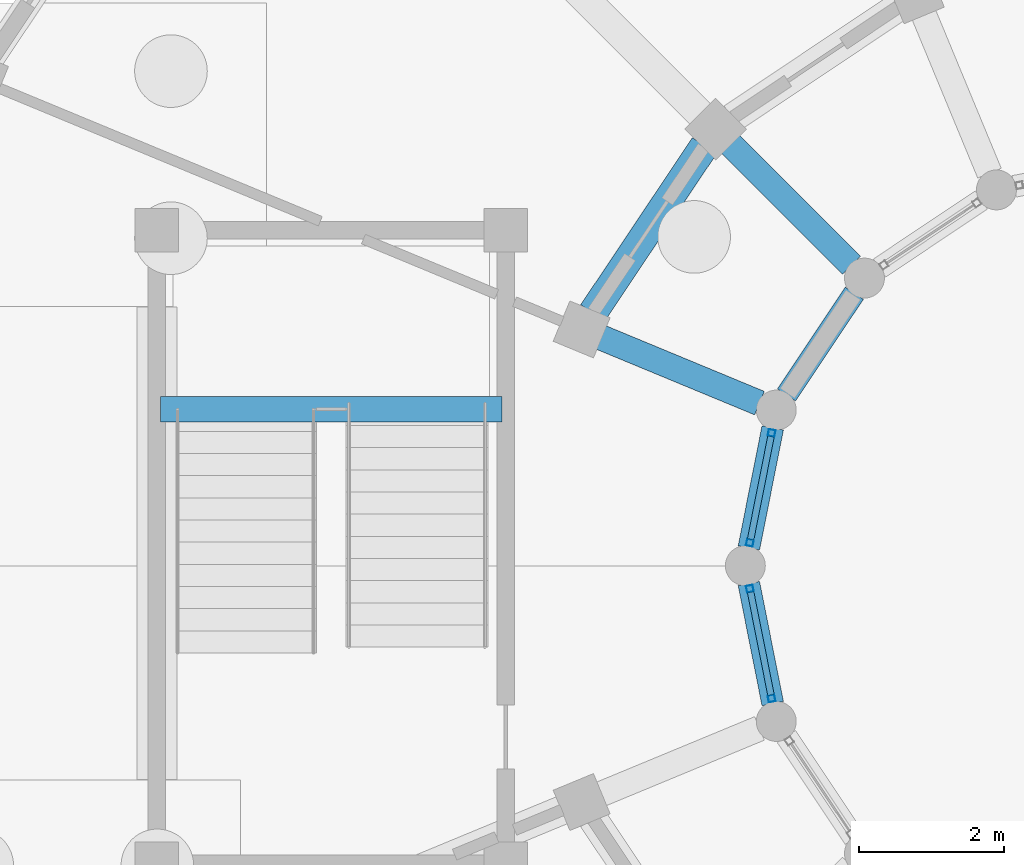
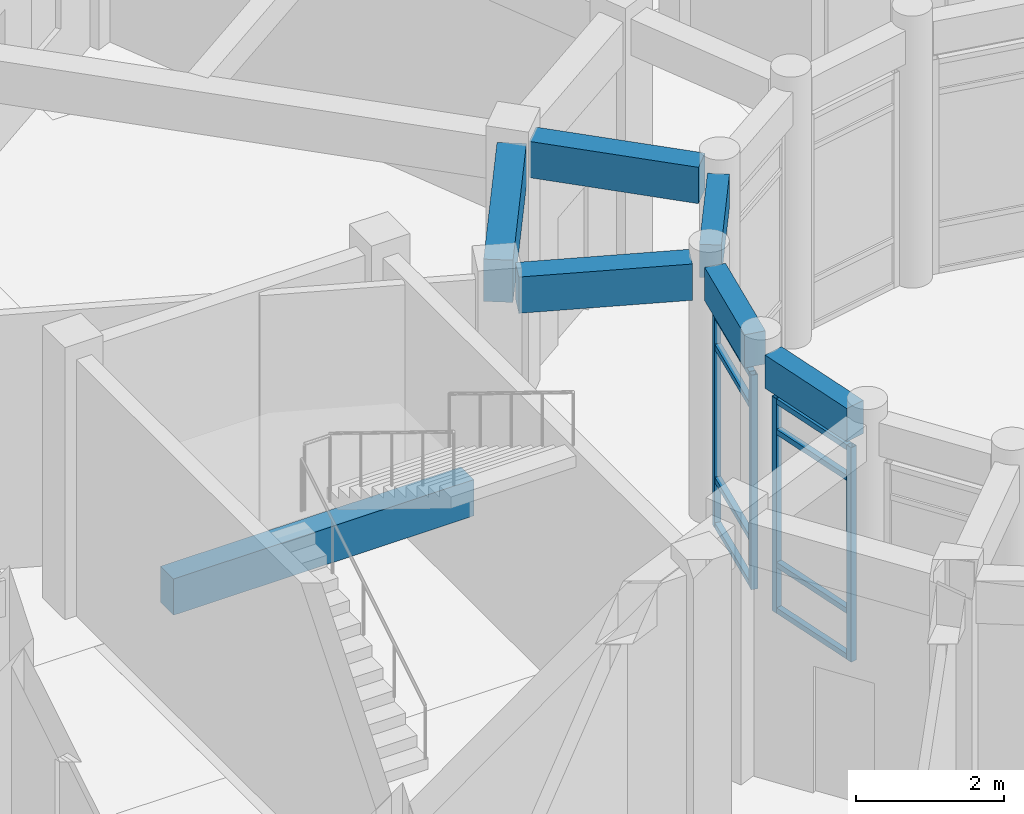
# One storey, part 20 of 153: 12 members, 7 beams, 2 elements without a shape of their own.
"""IFC4 building model written with IfcOpenShell, lengths in metres."""

from ifc_helpers import new_model, si_unit, direction, frame, origin, origin_2d, place, context, subcontext, project, spatial, rectangle, hollow_rectangle, extrude, material, material_profile, profile_set, type_object, element, aggregate, save


model = new_model("IFC4")

# Units and contexts
model_context = context("Model", 3, precision=1e-05, world=origin(), true_north=direction((0.0, 1.0)))
body_context = subcontext(model_context, "Body", "Model", "MODEL_VIEW")
ifc_project = project(units=[si_unit("LENGTHUNIT", "METRE"), si_unit("AREAUNIT", "SQUARE_METRE"), si_unit("VOLUMEUNIT", "CUBIC_METRE"), si_unit("PLANEANGLEUNIT", "RADIAN"), si_unit("MASSUNIT", "GRAM", prefix="KILO")], contexts=[model_context])

# Site, building, storey
site_placement = place(None, origin())
site = spatial("IfcSite", under=ifc_project, at=site_placement, CompositionType="ELEMENT")
building_placement = place(site_placement, origin())
building = spatial("IfcBuilding", under=site, at=building_placement, Name="Celadon Cloister-Ring School", CompositionType="ELEMENT")
storey_placement = place(building_placement, origin())
storey = spatial("IfcBuildingStorey", under=building, at=storey_placement, Name="L00", CompositionType="ELEMENT", Elevation=0.0)

# Beams
ifc_material_1 = material(Name="Concrete C35/45", Category="concrete")
ifc_material_profile_1 = material_profile(ifc_material_1, rectangle(XDim=0.35009765625, YDim=0.60009765625, at=origin_2d()), Name="RC350X600")
ifc_profile_set_1 = profile_set([ifc_material_profile_1], Name="Concrete C35/45")
beam_type_1 = type_object("IfcBeamType", Name="BT-02", PredefinedType="BEAM", material=ifc_profile_set_1)
beam_1_placement = place(storey_placement, frame((14.384033203125, 25.81591796875, 3.9599609375), z_axis=(0.707106781187, -0.707106781187, 0.0), x_axis=(0.707106781187, 0.707106781187, 0.0)))
element("IfcBeam", 1, at=beam_1_placement, inside=storey, type_object=beam_type_1, Name="Beam 0858", PredefinedType="BEAM", context=body_context, shape_type="SweptSolid", body=[
    extrude(rectangle(XDim=0.35009765625, YDim=0.60009765625, at=origin_2d()), origin(), (0.0, 0.0, 1.0), 2.37451171875),
])
beam_2_placement = place(storey_placement, frame((12.60107421875, 23.14794921875, 3.9599609375), z_axis=(0.92384765409, -0.382760384618, 0.0), x_axis=(0.382760384618, 0.92384765409, 0.0)))
element("IfcBeam", 2, at=beam_2_placement, inside=storey, type_object=beam_type_1, Name="Beam 0859", PredefinedType="BEAM", context=body_context, shape_type="SweptSolid", body=[
    extrude(rectangle(XDim=0.35009765625, YDim=0.60009765625, at=origin_2d()), origin(), (0.0, 0.0, 1.0), 2.374755859375),
])
beam_3_placement = place(storey_placement, frame((6.550048828125, 22.155029296875, 1.669921875), z_axis=(1.0, 0.0, 0.0), x_axis=(0.0, 1.0, 0.0)))
element("IfcBeam", 3, at=beam_3_placement, inside=storey, type_object=beam_type_1, Name="Stair Landing Beam 1731", PredefinedType="BEAM", context=body_context, shape_type="SweptSolid", body=[
    extrude(rectangle(XDim=0.35009765625, YDim=0.60009765625, at=origin_2d()), origin(), (0.0, 0.0, 1.0), 4.699951171875),
])

# Curtain wall, members
ifc_material_2 = material(Name="Aluminium EN AW-6063 T6", Category="aluminium")
curtain_wall_type = type_object("IfcCurtainWallType", Name="CW-03", PredefinedType="USERDEFINED", material=ifc_material_2)
curtain_wall_1_placement = place(storey_placement, origin())
curtain_wall_1 = element("IfcCurtainWall", 4, at=curtain_wall_1_placement, inside=storey, type_object=curtain_wall_type, Name="Curtain Wall 0132", ObjectType="CURTAIN WALL", PredefinedType="USERDEFINED")
ifc_material_3 = material(Name="Aluminium EN AW-6063 T6", Category="aluminium")
ifc_material_profile_2 = material_profile(ifc_material_3, hollow_rectangle(XDim=0.094970703125, YDim=0.094970703125, WallThickness=0.00390625, at=origin_2d()), Name="RHS95X95X4")
ifc_profile_set_2 = profile_set([ifc_material_profile_2], Name="Aluminium EN AW-6063 T6")
member_type_1 = type_object("IfcMemberType", Name="CM-02", PredefinedType="MULLION", material=ifc_profile_set_2)
member_1_placement = place(storey_placement, frame((14.962646484375, 21.826416015625, 0.0), z_axis=(0.0, 0.0, 1.0), x_axis=(0.980885435464, -0.194586131301, 0.0)))
member_1 = element("IfcMember", 5, at=member_1_placement, type_object=member_type_1, Name="CW-03 mullion 1", PredefinedType="MULLION", context=body_context, shape_type="SweptSolid", body=[
    extrude(hollow_rectangle(XDim=0.094970703125, YDim=0.094970703125, WallThickness=0.00390625, at=origin_2d()), origin(), (0.0, 0.0, 1.0), 3.550048828125),
])
member_2_placement = place(storey_placement, frame((14.663330078125, 20.316650390625, 0.0), z_axis=(0.0, 0.0, 1.0), x_axis=(0.980885435464, -0.194586131301, 0.0)))
member_2 = element("IfcMember", 6, at=member_2_placement, type_object=member_type_1, Name="CW-03 mullion 2", PredefinedType="MULLION", context=body_context, shape_type="SweptSolid", body=[
    extrude(hollow_rectangle(XDim=0.094970703125, YDim=0.094970703125, WallThickness=0.00390625, at=origin_2d()), origin(), (0.0, 0.0, 1.0), 3.550048828125),
])

curtain_wall_2_placement = place(storey_placement, origin())
curtain_wall_2 = element("IfcCurtainWall", 7, at=curtain_wall_2_placement, inside=storey, type_object=curtain_wall_type, Name="Curtain Wall 0133", ObjectType="CURTAIN WALL", PredefinedType="USERDEFINED")
member_3_placement = place(storey_placement, frame((14.663330078125, 19.683349609375, 0.0), z_axis=(0.0, 0.0, 1.0), x_axis=(0.980885435464, 0.194586131301, 0.0)))
member_3 = element("IfcMember", 8, at=member_3_placement, type_object=member_type_1, Name="CW-03 mullion 1", PredefinedType="MULLION", context=body_context, shape_type="SweptSolid", body=[
    extrude(hollow_rectangle(XDim=0.094970703125, YDim=0.094970703125, WallThickness=0.00390625, at=origin_2d()), origin(), (0.0, 0.0, 1.0), 3.550048828125),
])
member_4_placement = place(storey_placement, frame((14.962646484375, 18.173583984375, 0.0), z_axis=(0.0, 0.0, 1.0), x_axis=(0.980885435464, 0.194586131301, 0.0)))
member_4 = element("IfcMember", 9, at=member_4_placement, type_object=member_type_1, Name="CW-03 mullion 2", PredefinedType="MULLION", context=body_context, shape_type="SweptSolid", body=[
    extrude(hollow_rectangle(XDim=0.094970703125, YDim=0.094970703125, WallThickness=0.00390625, at=origin_2d()), origin(), (0.0, 0.0, 1.0), 3.550048828125),
])

# Member
ifc_material_4 = material(Name="Aluminium EN AW-6063 T6", Category="aluminium")
ifc_material_profile_3 = material_profile(ifc_material_4, hollow_rectangle(XDim=0.090087890625, YDim=0.090087890625, WallThickness=0.00390625, at=origin_2d()), Name="RHS90X90X4")
ifc_profile_set_3 = profile_set([ifc_material_profile_3], Name="Aluminium EN AW-6063 T6")
member_type_2 = type_object("IfcMemberType", Name="CTM-02", PredefinedType="USERDEFINED", material=ifc_profile_set_3)
member_5_placement = place(storey_placement, frame((14.95361328125, 21.77978515625, 0.044921875), z_axis=(-0.194587856315, -0.980885093257, 0.0), x_axis=(0.980885093257, -0.194587856315, 0.0)))
member_5 = element("IfcMember", 10, at=member_5_placement, type_object=member_type_2, Name="CW-03 transom 1.1", ObjectType="TRANSOM", PredefinedType="USERDEFINED", context=body_context, shape_type="SweptSolid", body=[
    extrude(hollow_rectangle(XDim=0.090087890625, YDim=0.090087890625, WallThickness=0.00390625, at=origin_2d()), origin(), (0.0, 0.0, 1.0), 1.444091796875),
])

member_6_placement = place(storey_placement, frame((14.95361328125, 21.77978515625, 0.800048828125), z_axis=(-0.194587856315, -0.980885093257, 0.0), x_axis=(0.980885093257, -0.194587856315, 0.0)))
member_6 = element("IfcMember", 11, at=member_6_placement, type_object=member_type_2, Name="CW-03 transom 1.2", ObjectType="TRANSOM", PredefinedType="USERDEFINED", context=body_context, shape_type="SweptSolid", body=[
    extrude(hollow_rectangle(XDim=0.090087890625, YDim=0.090087890625, WallThickness=0.00390625, at=origin_2d()), origin(), (0.0, 0.0, 1.0), 1.444091796875),
])

member_7_placement = place(storey_placement, frame((14.95361328125, 21.77978515625, 3.0), z_axis=(-0.194587856315, -0.980885093257, 0.0), x_axis=(0.980885093257, -0.194587856315, 0.0)))
member_7 = element("IfcMember", 12, at=member_7_placement, type_object=member_type_2, Name="CW-03 transom 1.3", ObjectType="TRANSOM", PredefinedType="USERDEFINED", context=body_context, shape_type="SweptSolid", body=[
    extrude(hollow_rectangle(XDim=0.090087890625, YDim=0.090087890625, WallThickness=0.00390625, at=origin_2d()), origin(), (0.0, 0.0, 1.0), 1.444091796875),
])

member_8_placement = place(storey_placement, frame((14.95361328125, 21.77978515625, 3.5048828125), z_axis=(-0.194587856315, -0.980885093257, 0.0), x_axis=(0.980885093257, -0.194587856315, 0.0)))
member_8 = element("IfcMember", 13, at=member_8_placement, type_object=member_type_2, Name="CW-03 transom 1.4", ObjectType="TRANSOM", PredefinedType="USERDEFINED", context=body_context, shape_type="SweptSolid", body=[
    extrude(hollow_rectangle(XDim=0.090087890625, YDim=0.090087890625, WallThickness=0.00390625, at=origin_2d()), origin(), (0.0, 0.0, 1.0), 1.444091796875),
])

aggregate(curtain_wall_1, [member_1, member_2, member_5, member_6, member_7, member_8])

member_9_placement = place(storey_placement, frame((14.672607421875, 19.63671875, 0.044921875), z_axis=(0.194587856315, -0.980885093257, 0.0), x_axis=(0.980885093257, 0.194587856315, 0.0)))
member_9 = element("IfcMember", 14, at=member_9_placement, type_object=member_type_2, Name="CW-03 transom 1.1", ObjectType="TRANSOM", PredefinedType="USERDEFINED", context=body_context, shape_type="SweptSolid", body=[
    extrude(hollow_rectangle(XDim=0.090087890625, YDim=0.090087890625, WallThickness=0.00390625, at=origin_2d()), origin(), (0.0, 0.0, 1.0), 1.444091796875),
])

member_10_placement = place(storey_placement, frame((14.672607421875, 19.63671875, 0.800048828125), z_axis=(0.194587856315, -0.980885093257, 0.0), x_axis=(0.980885093257, 0.194587856315, 0.0)))
member_10 = element("IfcMember", 15, at=member_10_placement, type_object=member_type_2, Name="CW-03 transom 1.2", ObjectType="TRANSOM", PredefinedType="USERDEFINED", context=body_context, shape_type="SweptSolid", body=[
    extrude(hollow_rectangle(XDim=0.090087890625, YDim=0.090087890625, WallThickness=0.00390625, at=origin_2d()), origin(), (0.0, 0.0, 1.0), 1.444091796875),
])

member_11_placement = place(storey_placement, frame((14.672607421875, 19.63671875, 3.0), z_axis=(0.194587856315, -0.980885093257, 0.0), x_axis=(0.980885093257, 0.194587856315, 0.0)))
member_11 = element("IfcMember", 16, at=member_11_placement, type_object=member_type_2, Name="CW-03 transom 1.3", ObjectType="TRANSOM", PredefinedType="USERDEFINED", context=body_context, shape_type="SweptSolid", body=[
    extrude(hollow_rectangle(XDim=0.090087890625, YDim=0.090087890625, WallThickness=0.00390625, at=origin_2d()), origin(), (0.0, 0.0, 1.0), 1.444091796875),
])

member_12_placement = place(storey_placement, frame((14.672607421875, 19.63671875, 3.5048828125), z_axis=(0.194587856315, -0.980885093257, 0.0), x_axis=(0.980885093257, 0.194587856315, 0.0)))
member_12 = element("IfcMember", 17, at=member_12_placement, type_object=member_type_2, Name="CW-03 transom 1.4", ObjectType="TRANSOM", PredefinedType="USERDEFINED", context=body_context, shape_type="SweptSolid", body=[
    extrude(hollow_rectangle(XDim=0.090087890625, YDim=0.090087890625, WallThickness=0.00390625, at=origin_2d()), origin(), (0.0, 0.0, 1.0), 1.444091796875),
])

aggregate(curtain_wall_2, [member_3, member_4, member_9, member_10, member_11, member_12])

# Beams
ifc_material_5 = material(Name="Concrete C35/45", Category="concrete")
ifc_material_profile_4 = material_profile(ifc_material_5, rectangle(XDim=0.39990234375, YDim=0.699951171875, at=origin_2d()), Name="RC400X700")
ifc_profile_set_4 = profile_set([ifc_material_profile_4], Name="Concrete C35/45")
beam_type_2 = type_object("IfcBeamType", Name="GT-03", PredefinedType="USERDEFINED", material=ifc_profile_set_4)
beam_4_placement = place(storey_placement, frame((14.037109375, 25.781005859375, 3.909912109375), z_axis=(-0.555799794079, -0.83131617866, 0.0), x_axis=(0.83131617866, -0.555799794079, 0.0)))
element("IfcBeam", 18, at=beam_4_placement, inside=storey, type_object=beam_type_2, Name="Beam 0892", ObjectType="GIRDER", PredefinedType="USERDEFINED", context=body_context, shape_type="SweptSolid", body=[
    extrude(rectangle(XDim=0.39990234375, YDim=0.699951171875, at=origin_2d()), origin(), (0.0, 0.0, 1.0), 2.765625),
])
ifc_material_6 = material(Name="Concrete C35/45", Category="concrete")
ifc_material_profile_5 = material_profile(ifc_material_6, rectangle(XDim=0.300048828125, YDim=0.550048828125, at=origin_2d()), Name="RC300X550")
ifc_profile_set_5 = profile_set([ifc_material_profile_5], Name="Concrete C35/45")
beam_type_3 = type_object("IfcBeamType", Name="SP-02", PredefinedType="SPANDREL", material=ifc_profile_set_5)
beam_5_placement = place(storey_placement, frame((16.10107421875, 23.751953125, 3.985107421875), z_axis=(-0.555569328961, -0.831470216374, 0.0), x_axis=(0.831470216374, -0.555569328961, 0.0)))
element("IfcBeam", 19, at=beam_5_placement, inside=storey, type_object=beam_type_3, Name="Beam 0893", PredefinedType="SPANDREL", context=body_context, shape_type="SweptSolid", body=[
    extrude(rectangle(XDim=0.300048828125, YDim=0.550048828125, at=origin_2d()), origin(), (0.0, 0.0, 1.0), 1.684814453125),
])
for number, where, z_axis, x_axis, name in (
    (20, (14.97705078125, 21.89794921875, 3.985107421875), (-0.194722830887, -0.980858307367, 0.0), (0.980858307367, -0.194722830887, 0.0), "Beam 0895"),
    (21, (14.64892578125, 19.7548828125, 3.985107421875), (0.194722830887, -0.980858307367, 0.0), (0.980858307367, 0.194722830887, 0.0), "Beam 0897"),
):
    element("IfcBeam", number, at=place(storey_placement, frame(where, z_axis=z_axis, x_axis=x_axis)), inside=storey, type_object=beam_type_3, Name=name, PredefinedType="SPANDREL", context=body_context, shape_type="SweptSolid", body=[
        extrude(rectangle(XDim=0.300048828125, YDim=0.550048828125, at=origin_2d()), origin(), (0.0, 0.0, 1.0), 1.68505859375),
    ])

save(model, "model.ifc")
